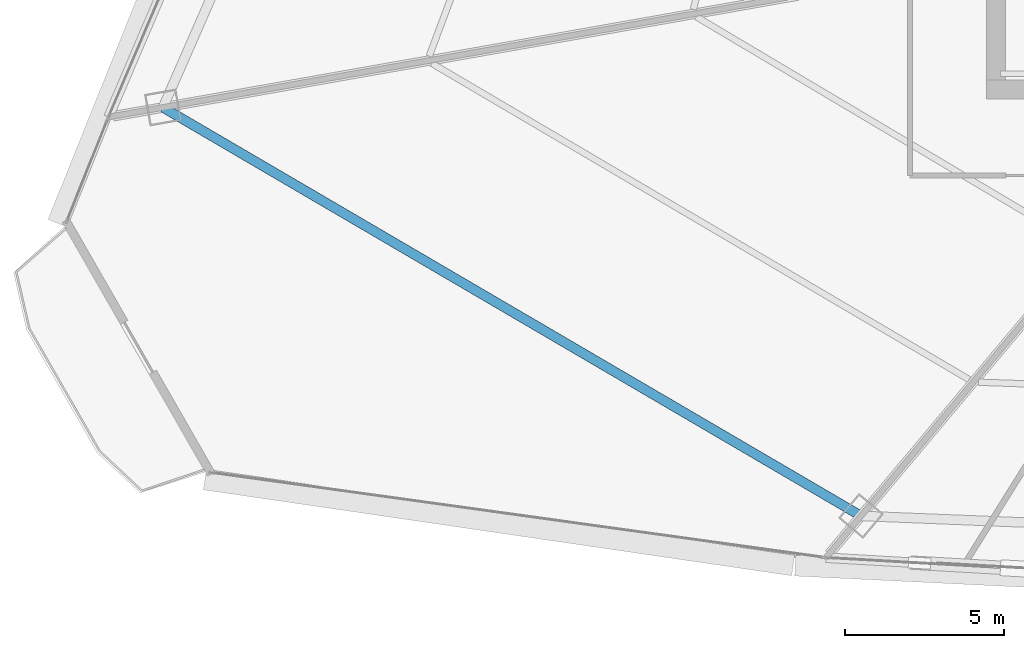
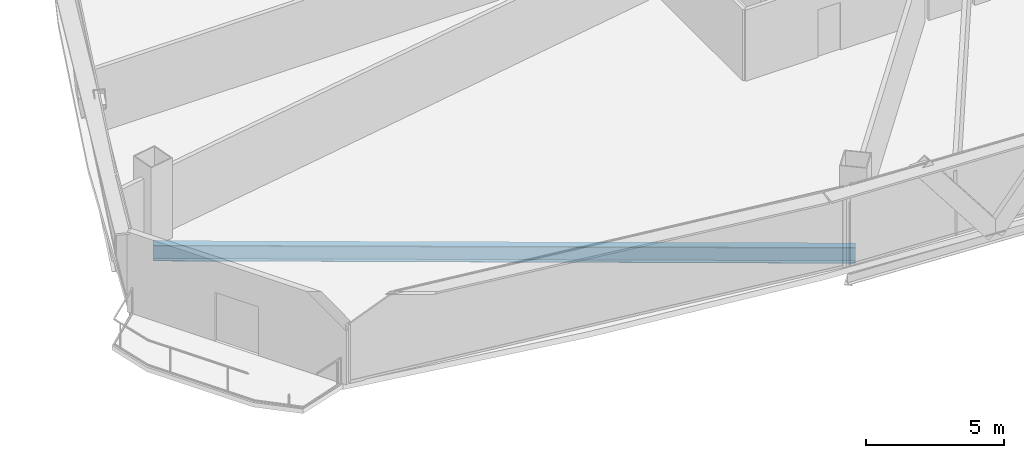
# One storey, part 5 of 36: 1 beam.
"""IFC4 building model written with IfcOpenShell, lengths in metres."""

import ifcopenshell
import ifcopenshell.guid

model = None  # the IFC model being written
_history = None  # IfcOwnerHistory: only IFC2X3 demands one
_inside = {}  # id of a spatial element -> (the spatial element, [elements in it])
_under = {}  # id of a project, library or spatial element -> (it, [spatial elements below it])
_declared = {}  # id of a project -> (the project, [libraries it declares])
_typed = {}  # id of a type object -> (the type object, [elements of that type])
_made_of = {}  # id of a material, layer set ... -> (it, [elements and type objects made of it])


def new_model(schema):
    """Start an empty IFC model of exactly this schema.

    Asked for "IFC4X3", IfcOpenShell would pick the latest addendum, in which some entities
    have other attributes; the version numbers below select the first issue.
    IFC2X3 requires an IfcOwnerHistory on every rooted entity: one is made here for all.
    """
    global model, _history
    if schema == "IFC4X3":
        model = ifcopenshell.file(schema_version=(4, 3, 0, 0))
    else:
        model = ifcopenshell.file(schema=schema)
    _inside.clear()
    _under.clear()
    _declared.clear()
    _typed.clear()
    _made_of.clear()
    _history = None
    if model.schema == "IFC2X3":
        org = make("IfcOrganization", Name="unknown")
        user = make(
            "IfcPersonAndOrganization",
            ThePerson=make("IfcPerson", FamilyName="unknown"),
            TheOrganization=org,
        )
        app = make(
            "IfcApplication",
            ApplicationDeveloper=org,
            Version="unknown",
            ApplicationFullName="unknown",
            ApplicationIdentifier="unknown",
        )
        _history = make(
            "IfcOwnerHistory",
            OwningUser=user,
            OwningApplication=app,
            ChangeAction="ADDED",
            CreationDate=0,
        )
    return model


def make(cls, **values):
    """One entity of the class cls with the attributes given. An attribute that is None is left unset."""
    return model.create_entity(
        cls, **{name: value for name, value in values.items() if value is not None}
    )


def rooted(cls, **values):
    """An entity with a GlobalId (a new one), such as an element, a storey or a relation."""
    return make(cls, GlobalId=ifcopenshell.guid.new(), OwnerHistory=_history, **values)


def si_unit(unit_type, name, prefix=None):
    """IfcSIUnit, for example si_unit("LENGTHUNIT", "METRE", prefix="MILLI")."""
    return make("IfcSIUnit", UnitType=unit_type, Prefix=prefix, Name=name)


def assignment(units):
    """IfcUnitAssignment: the units of a project."""
    return None if units is None else make("IfcUnitAssignment", Units=units)


def point(xyz):
    """IfcCartesianPoint."""
    return None if xyz is None else make("IfcCartesianPoint", Coordinates=xyz)


def direction(xyz):
    """IfcDirection."""
    return None if xyz is None else make("IfcDirection", DirectionRatios=xyz)


def frame(location, z_axis=None, x_axis=None):
    """IfcAxis2Placement3D, a coordinate frame: its origin and axes. An axis left out is left unset."""
    return make(
        "IfcAxis2Placement3D",
        Location=point(location),
        Axis=direction(z_axis),
        RefDirection=direction(x_axis),
    )


def frame_2d(location, x_axis=None):
    """IfcAxis2Placement2D, a coordinate frame in the plane: its origin and x axis."""
    return make(
        "IfcAxis2Placement2D", Location=point(location), RefDirection=direction(x_axis)
    )


def origin():
    """The frame at (0, 0, 0) with its axes left unset."""
    return frame((0.0, 0.0, 0.0))


def origin_2d():
    """The frame at (0, 0) in the plane with its x axis left unset."""
    return frame_2d((0.0, 0.0))


def place(relative_to, where):
    """IfcLocalPlacement: puts the frame where relative to a parent placement (None: the world)."""
    return make(
        "IfcLocalPlacement", PlacementRelTo=relative_to, RelativePlacement=where
    )


def context(
    kind, dimensions, precision=None, world=None, true_north=None, identifier=None
):
    """IfcGeometricRepresentationContext, for example the 3D "Model" context."""
    return make(
        "IfcGeometricRepresentationContext",
        ContextIdentifier=identifier,
        ContextType=kind,
        CoordinateSpaceDimension=dimensions,
        Precision=precision,
        WorldCoordinateSystem=world,
        TrueNorth=true_north,
    )


def subcontext(parent, identifier, kind, view, scale=None):
    """IfcGeometricRepresentationSubContext, for example "Body" below "Model"."""
    return make(
        "IfcGeometricRepresentationSubContext",
        ContextIdentifier=identifier,
        ContextType=kind,
        ParentContext=parent,
        TargetScale=scale,
        TargetView=view,
    )


def project(units=None, contexts=None):
    """IfcProject with its units and contexts."""
    return rooted(
        "IfcProject",
        Name="project",
        RepresentationContexts=contexts,
        UnitsInContext=assignment(units),
    )


def spatial(cls, under=None, at=None, **own):
    """A site, building, storey or space (cls), placed at a placement, below another one or the project."""
    s = rooted(cls, ObjectPlacement=at, **own)
    if under is not None:
        _under.setdefault(under.id(), (under, []))[1].append(s)
    return s


def profile(cls, at=None, kind="AREA", **sizes):
    """A parametric profile (cls). Its sizes go by their IFC names, for example OverallWidth=200.0."""
    return make(cls, ProfileType=kind, Position=at, **sizes)


def i_section(**sizes):
    """IfcIShapeProfileDef."""
    return profile("IfcIShapeProfileDef", **sizes)


def extrude(swept, where, along, depth):
    """IfcExtrudedAreaSolid: the profile swept, set in the frame where, extruded along a direction by depth."""
    return make(
        "IfcExtrudedAreaSolid",
        SweptArea=swept,
        Position=where,
        ExtrudedDirection=direction(along),
        Depth=depth,
    )


def shape(context_of_items, identifier, shape_type, items):
    """IfcShapeRepresentation: the items that make up one representation, for example the "Body"."""
    return make(
        "IfcShapeRepresentation",
        ContextOfItems=context_of_items,
        RepresentationIdentifier=identifier,
        RepresentationType=shape_type,
        Items=items,
    )


def source(mapping_origin, context_of_items, identifier, shape_type, items):
    """IfcRepresentationMap: a shape defined once, which mapped items show again and again."""
    return make(
        "IfcRepresentationMap",
        MappingOrigin=mapping_origin,
        MappedRepresentation=shape(context_of_items, identifier, shape_type, items),
    )


def transform(
    local_origin,
    x_axis=None,
    y_axis=None,
    z_axis=None,
    scale=None,
    scale2=None,
    scale3=None,
    uniform=True,
):
    """IfcCartesianTransformationOperator3D, or its non-uniform kind. x_axis, y_axis, z_axis: its Axis1, 2, 3."""
    if uniform:
        return make(
            "IfcCartesianTransformationOperator3D",
            Axis1=direction(x_axis),
            Axis2=direction(y_axis),
            LocalOrigin=point(local_origin),
            Scale=scale,
            Axis3=direction(z_axis),
        )
    return make(
        "IfcCartesianTransformationOperator3DnonUniform",
        Axis1=direction(x_axis),
        Axis2=direction(y_axis),
        LocalOrigin=point(local_origin),
        Scale=scale,
        Axis3=direction(z_axis),
        Scale2=scale2,
        Scale3=scale3,
    )


def mapped(mapping_source, mapping_target):
    """IfcMappedItem: shows the shape of a source again, moved by a transform."""
    return make(
        "IfcMappedItem", MappingSource=mapping_source, MappingTarget=mapping_target
    )


def material(Name=None, Category=None):
    """IfcMaterial."""
    return make("IfcMaterial", Name=Name, Category=Category)


def material_profile(
    of_material, cross_section, Name=None, Category=None, Priority=None
):
    """IfcMaterialProfile: a cross section and its material."""
    return make(
        "IfcMaterialProfile",
        Name=Name,
        Material=of_material,
        Profile=cross_section,
        Priority=Priority,
        Category=Category,
    )


def profile_set(profiles, Name=None, composite=None):
    """IfcMaterialProfileSet."""
    return make(
        "IfcMaterialProfileSet",
        Name=Name,
        MaterialProfiles=profiles,
        CompositeProfile=composite,
    )


def made_of(thing, what):
    """Note that an element or type object is made of a material, layer set ...; save() writes the relation."""
    if what is not None:
        _made_of.setdefault(what.id(), (what, []))[1].append(thing)
    return thing


def type_object(cls, material=None, **own):
    """A type object (cls), such as IfcWallType, which elements share."""
    return made_of(rooted(cls, **own), material)


def element(
    cls,
    number,
    at=None,
    inside=None,
    cuts=None,
    type_object=None,
    material=None,
    context=None,
    identifier="Body",
    shape_type=None,
    held_by="IfcProductDefinitionShape",
    body=None,
    shapes=None,
    **own,
):
    """One element of the class cls, such as IfcWall. Its Tag is "e" and its number.

    at: its placement. inside: the storey or other place that contains it. cuts: it is an
    opening in that element (IfcRelVoidsElement). A single representation is given by context,
    identifier, shape_type and body (its items); several are given by shapes. held_by: the class
    of the entity that holds the representations. save() writes the other relations.
    """
    e = rooted(cls, Tag="e%d" % number, ObjectPlacement=at, **own)
    if body is not None:
        shapes = [shape(context, identifier, shape_type, body)]
    if shapes is not None:
        e.Representation = make(held_by, Representations=shapes)
    if inside is not None:
        _inside.setdefault(inside.id(), (inside, []))[1].append(e)
    if cuts is not None:
        rooted(
            "IfcRelVoidsElement", RelatingBuildingElement=cuts, RelatedOpeningElement=e
        )
    if type_object is not None:
        _typed.setdefault(type_object.id(), (type_object, []))[1].append(e)
    return made_of(e, material)


def aggregate(whole, parts):
    """IfcRelAggregates: a whole, such as a stair, and the parts it consists of."""
    return rooted("IfcRelAggregates", RelatingObject=whole, RelatedObjects=parts)


def save(model, path):
    """Write the relations noted so far, then the file.

    IfcRelAggregates (storeys below a building ...), IfcRelContainedInSpatialStructure (elements
    in a storey), IfcRelDefinesByType, IfcRelAssociatesMaterial and IfcRelDeclares: one each for
    every whole, place, type object, material and project.
    """
    for whole, parts in _under.values():
        aggregate(whole, parts)
    for where, things in _inside.values():
        rooted(
            "IfcRelContainedInSpatialStructure",
            RelatedElements=things,
            RelatingStructure=where,
        )
    for kind, things in _typed.values():
        rooted("IfcRelDefinesByType", RelatedObjects=things, RelatingType=kind)
    for what, things in _made_of.values():
        rooted("IfcRelAssociatesMaterial", RelatedObjects=things, RelatingMaterial=what)
    for by, libraries in _declared.values():
        rooted("IfcRelDeclares", RelatingContext=by, RelatedDefinitions=libraries)
    model.write(path)


model = new_model("IFC4")

# Units and contexts
model_context = context("Model", 3, precision=1e-05, world=origin(), true_north=direction((0.0, 1.0)))
body_context = subcontext(model_context, "Body", "Model", "MODEL_VIEW")
ifc_project = project(units=[si_unit("LENGTHUNIT", "METRE"), si_unit("AREAUNIT", "SQUARE_METRE"), si_unit("VOLUMEUNIT", "CUBIC_METRE"), si_unit("PLANEANGLEUNIT", "RADIAN"), si_unit("MASSUNIT", "GRAM", prefix="KILO"), si_unit("THERMODYNAMICTEMPERATUREUNIT", "KELVIN"), si_unit("POWERUNIT", "WATT")], contexts=[model_context])

# Site, building, storey
site_placement = place(None, origin())
site = spatial("IfcSite", under=ifc_project, at=site_placement, CompositionType="ELEMENT")
building_placement = place(site_placement, origin())
building = spatial("IfcBuilding", under=site, at=building_placement, Name="Yunzhuo Pagoda Commons", CompositionType="ELEMENT")
storey_placement = place(building_placement, frame((0.0, 0.0, 103.97998046875)))
storey = spatial("IfcBuildingStorey", under=building, at=storey_placement, Name="L26", CompositionType="ELEMENT", Elevation=103.97998046875)

# Beam
ifc_material = material(Name="Structural steel Q355B", Category="steel")
ifc_material_profile = material_profile(ifc_material, i_section(OverallWidth=0.300048828125, OverallDepth=0.699951171875, WebThickness=0.012939453125, FlangeThickness=0.02392578125, at=origin_2d()), Name="Structural steel Q355B")
ifc_profile_set = profile_set([ifc_material_profile], Name="Structural steel Q355B")
beam_type = type_object("IfcBeamType", Name="B-RG1 Beam HN 700x300x13x24", PredefinedType="BEAM", material=ifc_profile_set)
shared_shape = source(origin(), body_context, "Body", "SweptSolid", [
    extrude(i_section(OverallWidth=0.300048828125, OverallDepth=0.699951171875, WebThickness=0.012939453125, FlangeThickness=0.02392578125, at=origin_2d()), origin(), (0.0, 0.0, 1.0), 25.3935546875),
])
beam_placement = place(storey_placement, frame((9.647216796875, 26.9375, -0.60986328125), z_axis=(0.863085207128, -0.505058338449, 0.0), x_axis=(0.505058338449, 0.863085207128, 0.0)))
element("IfcBeam", 1, at=beam_placement, inside=storey, type_object=beam_type, Name="L26 column-ring beam 12", PredefinedType="BEAM", context=body_context, shape_type="MappedRepresentation", body=[
    mapped(shared_shape, transform((0.0, 0.0, 0.0), scale=1.0)),
])

save(model, "model.ifc")
